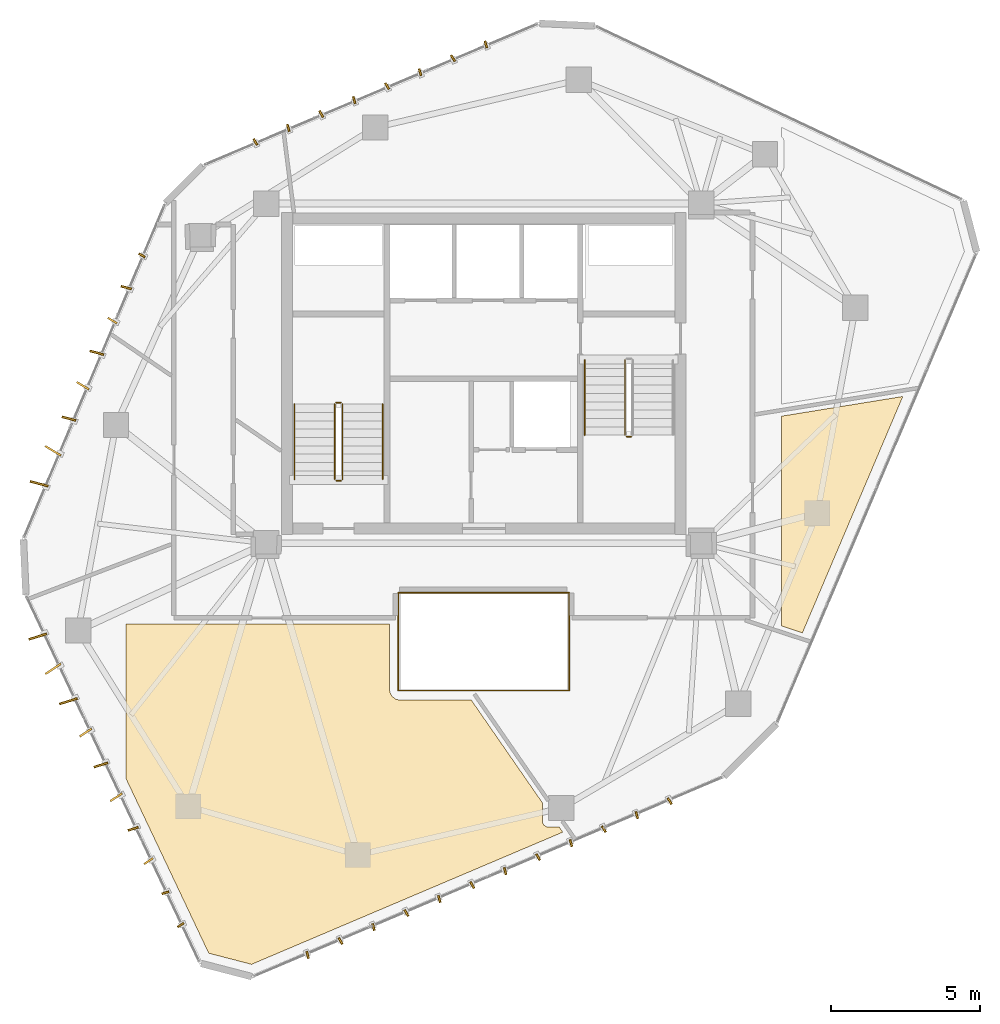
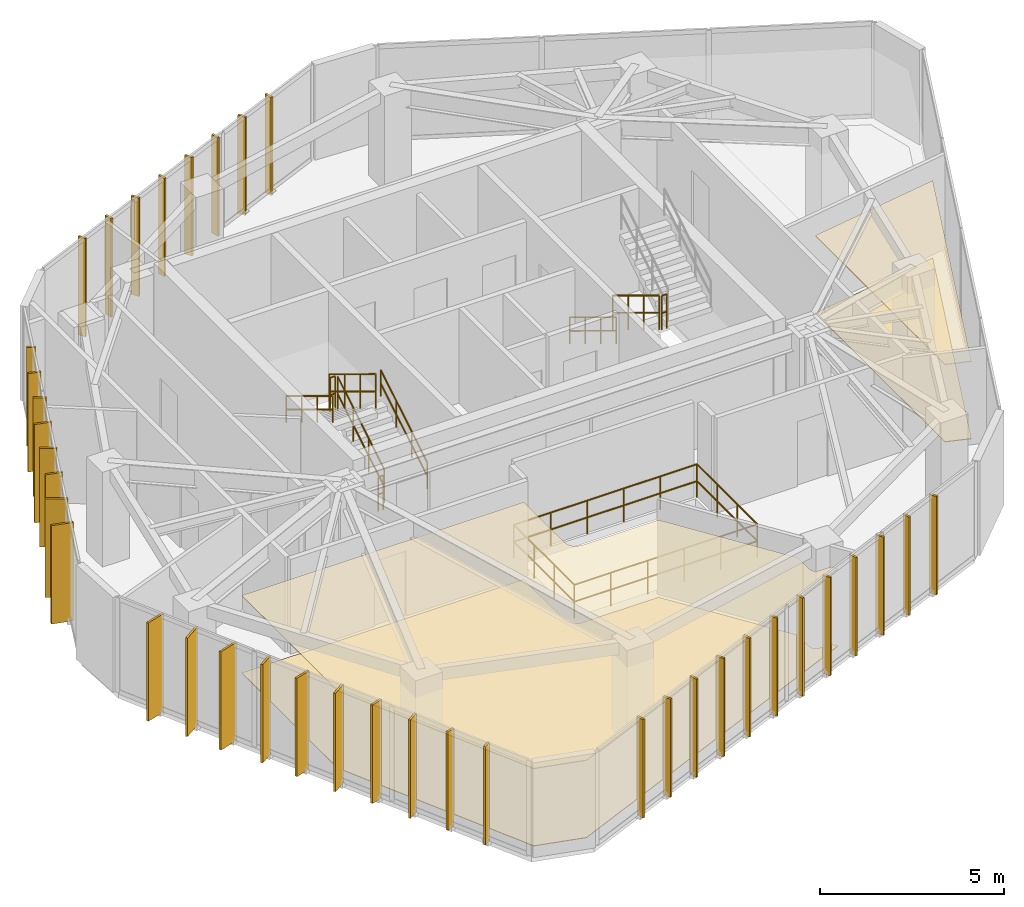
# One storey, part 19 of 20: 38 shading devices, 13 railings, 4 coverings.
"""IFC4 building model written with IfcOpenShell, lengths in metres."""

from ifc_helpers import new_model, si_unit, direction, frame, origin, origin_2d, place, context, subcontext, project, spatial, polyline, rectangle, circle, outline, extrude, source, transform, mapped, material, layer, layer_set, type_object, type_shapes, element, save


model = new_model("IFC4")

# Units and contexts
model_context = context("Model", 3, precision=1e-05, world=origin(), true_north=direction((0.0, 1.0)))
body_context = subcontext(model_context, "Body", "Model", "MODEL_VIEW")
ifc_project = project(units=[si_unit("LENGTHUNIT", "METRE"), si_unit("AREAUNIT", "SQUARE_METRE"), si_unit("VOLUMEUNIT", "CUBIC_METRE"), si_unit("PLANEANGLEUNIT", "RADIAN"), si_unit("MASSUNIT", "GRAM", prefix="KILO")], contexts=[model_context])

# Site, building, storey
site_placement = place(None, origin())
site = spatial("IfcSite", under=ifc_project, at=site_placement, CompositionType="ELEMENT")
building_placement = place(site_placement, origin())
building = spatial("IfcBuilding", under=site, at=building_placement, Name="Talar Marvaseh", CompositionType="ELEMENT")
storey_placement = place(building_placement, frame((0.0, 0.0, 274.800048828125)))
storey = spatial("IfcBuildingStorey", under=building, at=storey_placement, Name="L73", CompositionType="ELEMENT", Elevation=274.800048828125)

# Railings
ifc_material_1 = material(Name="Stainless Steel Grade 316", Category="steel")
railing_type_1 = type_object("IfcRailingType", Name="Brushed Stainless Wall Pitch Handrail 900", PredefinedType="HANDRAIL", material=ifc_material_1)
railing_1_placement = place(storey_placement, frame((22.610107421875, 27.64990234375, 0.169921875)))
element("IfcRailing", 1, at=railing_1_placement, inside=storey, type_object=railing_type_1, Name="L73 ST-1 stair handrail 1", PredefinedType="HANDRAIL", context=body_context, shape_type="SweptSolid", body=[
    extrude(circle(Radius=0.02392578125, at=origin_2d()), frame((0.0, 0.0, 0.8759765625), z_axis=(0.0, 0.85478489116, 0.518982456201), x_axis=(-1.0, 0.0, 0.0)), (0.0, 0.0, 1.0), 2.9482421875),
    extrude(circle(Radius=0.02392578125, at=origin_2d()), frame((0.0, 0.0, 0.42578125), z_axis=(0.0, 0.85478489116, 0.518982456201), x_axis=(-1.0, 0.0, 0.0)), (0.0, 0.0, 1.0), 2.9482421875),
    extrude(circle(Radius=0.02099609375, at=origin_2d()), origin(), (0.0, 0.0, 1.0), 0.851806640625),
    extrude(circle(Radius=0.02099609375, at=origin_2d()), frame((0.0, 0.840087890625, 0.510009765625)), (0.0, 0.0, 1.0), 0.851806640625),
    extrude(circle(Radius=0.02099609375, at=origin_2d()), frame((0.0, 1.679931640625, 1.02001953125)), (0.0, 0.0, 1.0), 0.851806640625),
    extrude(circle(Radius=0.02099609375, at=origin_2d()), frame((0.0, 2.52001953125, 1.530029296875)), (0.0, 0.0, 1.0), 0.851806640625),
])
for number, where, name in (
    (2, (19.64990234375, 30.169921875, 1.869873046875), "L73 ST-1 stair handrail 2"),
    (3, (29.389892578125, 31.64990234375, 0.169921875), "L73 ST-2 stair handrail 1"),
):
    element("IfcRailing", number, at=place(storey_placement, frame(where)), inside=storey, type_object=railing_type_1, Name=name, PredefinedType="HANDRAIL", context=body_context, shape_type="SweptSolid", body=[
        extrude(circle(Radius=0.02392578125, at=origin_2d()), frame((0.0, 0.0, 0.8759765625), z_axis=(0.0, -0.85478489116, 0.518982456201), x_axis=(1.0, 0.0, 0.0)), (0.0, 0.0, 1.0), 2.9482421875),
        extrude(circle(Radius=0.02392578125, at=origin_2d()), frame((0.0, 0.0, 0.42578125), z_axis=(0.0, -0.85478489116, 0.518982456201), x_axis=(1.0, 0.0, 0.0)), (0.0, 0.0, 1.0), 2.9482421875),
        extrude(circle(Radius=0.02099609375, at=origin_2d()), origin(), (0.0, 0.0, 1.0), 0.851806640625),
        extrude(circle(Radius=0.02099609375, at=origin_2d()), frame((0.0, -0.840087890625, 0.510009765625)), (0.0, 0.0, 1.0), 0.851806640625),
        extrude(circle(Radius=0.02099609375, at=origin_2d()), frame((0.0, -1.679931640625, 1.02001953125)), (0.0, 0.0, 1.0), 0.851806640625),
        extrude(circle(Radius=0.02099609375, at=origin_2d()), frame((0.0, -2.52001953125, 1.530029296875)), (0.0, 0.0, 1.0), 0.851806640625),
    ])
ifc_material_2 = material(Name="Tempered Clear Glass", Category="glass")
railing_type_2 = type_object("IfcRailingType", Name="Interior Atrium Edge Balustrade 1120", PredefinedType="BALUSTRADE", material=ifc_material_2)
railing_2_placement = place(storey_placement, frame((23.130615234375, 20.560302734375, 0.0)))
element("IfcRailing", 4, at=railing_2_placement, inside=storey, type_object=railing_type_2, Name="L73 Internal Daylight Atrium Balustrade 1", PredefinedType="BALUSTRADE", context=body_context, shape_type="SweptSolid", body=[
    extrude(circle(Radius=0.02392578125, at=origin_2d()), frame((0.0, 0.0, 1.09619140625), z_axis=(1.0, 0.0, 0.0), x_axis=(0.0, 1.0, 0.0)), (0.0, 0.0, 1.0), 5.73876953125),
    extrude(circle(Radius=0.02392578125, at=origin_2d()), frame((0.0, 0.0, 0.5361328125), z_axis=(1.0, 0.0, 0.0), x_axis=(0.0, 1.0, 0.0)), (0.0, 0.0, 1.0), 5.73876953125),
    extrude(circle(Radius=0.02099609375, at=origin_2d()), origin(), (0.0, 0.0, 1.0), 1.072021484375),
    extrude(circle(Radius=0.02099609375, at=origin_2d()), frame((1.147705078125, 0.0, 0.0)), (0.0, 0.0, 1.0), 1.072021484375),
    extrude(circle(Radius=0.02099609375, at=origin_2d()), frame((2.29541015625, 0.0, 0.0)), (0.0, 0.0, 1.0), 1.072021484375),
    extrude(circle(Radius=0.02099609375, at=origin_2d()), frame((3.443359375, 0.0, 0.0)), (0.0, 0.0, 1.0), 1.072021484375),
    extrude(circle(Radius=0.02099609375, at=origin_2d()), frame((4.591064453125, 0.0, 0.0)), (0.0, 0.0, 1.0), 1.072021484375),
    extrude(circle(Radius=0.02099609375, at=origin_2d()), frame((5.73876953125, 0.0, 0.0)), (0.0, 0.0, 1.0), 1.072021484375),
])
railing_3_placement = place(storey_placement, frame((28.869384765625, 20.560302734375, 0.0)))
element("IfcRailing", 5, at=railing_3_placement, inside=storey, type_object=railing_type_2, Name="L73 Internal Daylight Atrium Balustrade 2", PredefinedType="BALUSTRADE", context=body_context, shape_type="SweptSolid", body=[
    extrude(circle(Radius=0.02392578125, at=origin_2d()), frame((0.0, 0.0, 1.09619140625), z_axis=(0.0, 1.0, 0.0), x_axis=(-1.0, 0.0, 0.0)), (0.0, 0.0, 1.0), 3.279296875),
    extrude(circle(Radius=0.02392578125, at=origin_2d()), frame((0.0, 0.0, 0.5361328125), z_axis=(0.0, 1.0, 0.0), x_axis=(-1.0, 0.0, 0.0)), (0.0, 0.0, 1.0), 3.279296875),
    extrude(circle(Radius=0.02099609375, at=origin_2d()), origin(), (0.0, 0.0, 1.0), 1.072021484375),
    extrude(circle(Radius=0.02099609375, at=origin_2d()), frame((0.0, 1.093017578125, 0.0)), (0.0, 0.0, 1.0), 1.072021484375),
    extrude(circle(Radius=0.02099609375, at=origin_2d()), frame((0.0, 2.186279296875, 0.0)), (0.0, 0.0, 1.0), 1.072021484375),
    extrude(circle(Radius=0.02099609375, at=origin_2d()), frame((0.0, 3.279296875, 0.0)), (0.0, 0.0, 1.0), 1.072021484375),
])
railing_4_placement = place(storey_placement, frame((28.869384765625, 23.839599609375, 0.0)))
element("IfcRailing", 6, at=railing_4_placement, inside=storey, type_object=railing_type_2, Name="L73 Internal Daylight Atrium Balustrade 3", PredefinedType="BALUSTRADE", context=body_context, shape_type="SweptSolid", body=[
    extrude(circle(Radius=0.02392578125, at=origin_2d()), frame((0.0, 0.0, 1.09619140625), z_axis=(-1.0, 0.0, 0.0), x_axis=(0.0, -1.0, 0.0)), (0.0, 0.0, 1.0), 5.73876953125),
    extrude(circle(Radius=0.02392578125, at=origin_2d()), frame((0.0, 0.0, 0.5361328125), z_axis=(-1.0, 0.0, 0.0), x_axis=(0.0, -1.0, 0.0)), (0.0, 0.0, 1.0), 5.73876953125),
    extrude(circle(Radius=0.02099609375, at=origin_2d()), origin(), (0.0, 0.0, 1.0), 1.072021484375),
    extrude(circle(Radius=0.02099609375, at=origin_2d()), frame((-1.147705078125, 0.0, 0.0)), (0.0, 0.0, 1.0), 1.072021484375),
    extrude(circle(Radius=0.02099609375, at=origin_2d()), frame((-2.29541015625, 0.0, 0.0)), (0.0, 0.0, 1.0), 1.072021484375),
    extrude(circle(Radius=0.02099609375, at=origin_2d()), frame((-3.443359375, 0.0, 0.0)), (0.0, 0.0, 1.0), 1.072021484375),
    extrude(circle(Radius=0.02099609375, at=origin_2d()), frame((-4.591064453125, 0.0, 0.0)), (0.0, 0.0, 1.0), 1.072021484375),
    extrude(circle(Radius=0.02099609375, at=origin_2d()), frame((-5.73876953125, 0.0, 0.0)), (0.0, 0.0, 1.0), 1.072021484375),
])
railing_5_placement = place(storey_placement, frame((23.130615234375, 23.839599609375, 0.0)))
element("IfcRailing", 7, at=railing_5_placement, inside=storey, type_object=railing_type_2, Name="L73 Internal Daylight Atrium Balustrade 4", PredefinedType="BALUSTRADE", context=body_context, shape_type="SweptSolid", body=[
    extrude(circle(Radius=0.02392578125, at=origin_2d()), frame((0.0, 0.0, 1.09619140625), z_axis=(0.0, -1.0, 0.0), x_axis=(1.0, 0.0, 0.0)), (0.0, 0.0, 1.0), 3.279296875),
    extrude(circle(Radius=0.02392578125, at=origin_2d()), frame((0.0, 0.0, 0.5361328125), z_axis=(0.0, -1.0, 0.0), x_axis=(1.0, 0.0, 0.0)), (0.0, 0.0, 1.0), 3.279296875),
    extrude(circle(Radius=0.02099609375, at=origin_2d()), origin(), (0.0, 0.0, 1.0), 1.072021484375),
    extrude(circle(Radius=0.02099609375, at=origin_2d()), frame((0.0, -1.093017578125, 0.0)), (0.0, 0.0, 1.0), 1.072021484375),
    extrude(circle(Radius=0.02099609375, at=origin_2d()), frame((0.0, -2.186279296875, 0.0)), (0.0, 0.0, 1.0), 1.072021484375),
    extrude(circle(Radius=0.02099609375, at=origin_2d()), frame((0.0, -3.279296875, 0.0)), (0.0, 0.0, 1.0), 1.072021484375),
])
railing_type_3 = type_object("IfcRailingType", Name="Painted Steel Core Stair Well Guardrail 1150", PredefinedType="GUARDRAIL", material=ifc_material_1)
railing_6_placement = place(storey_placement, frame((21.260009765625, 27.64990234375, 0.169921875)))
element("IfcRailing", 8, at=railing_6_placement, inside=storey, type_object=railing_type_3, Name="L73 ST-1 stair guard 1", PredefinedType="GUARDRAIL", context=body_context, shape_type="SweptSolid", body=[
    extrude(circle(Radius=0.02392578125, at=origin_2d()), frame((0.0, 0.0, 1.1259765625), z_axis=(0.0, 0.85478489116, 0.518982456201), x_axis=(-1.0, 0.0, 0.0)), (0.0, 0.0, 1.0), 2.9482421875),
    extrude(circle(Radius=0.02392578125, at=origin_2d()), frame((0.0, 0.0, 0.55078125), z_axis=(0.0, 0.85478489116, 0.518982456201), x_axis=(-1.0, 0.0, 0.0)), (0.0, 0.0, 1.0), 2.9482421875),
    extrude(circle(Radius=0.02099609375, at=origin_2d()), origin(), (0.0, 0.0, 1.0), 1.101806640625),
    extrude(circle(Radius=0.02099609375, at=origin_2d()), frame((0.0, 0.840087890625, 0.510009765625)), (0.0, 0.0, 1.0), 1.101806640625),
    extrude(circle(Radius=0.02099609375, at=origin_2d()), frame((0.0, 1.679931640625, 1.02001953125)), (0.0, 0.0, 1.0), 1.101806640625),
    extrude(circle(Radius=0.02099609375, at=origin_2d()), frame((0.0, 2.52001953125, 1.530029296875)), (0.0, 0.0, 1.0), 1.101806640625),
])
railing_7_placement = place(storey_placement, frame((21.2099609375, 30.219970703125, 1.699951171875)))
element("IfcRailing", 9, at=railing_7_placement, inside=storey, type_object=railing_type_3, Name="L73 ST-1 stair guard 2", PredefinedType="GUARDRAIL", context=body_context, shape_type="SweptSolid", body=[
    extrude(circle(Radius=0.02392578125, at=origin_2d()), frame((0.0, 0.0, 1.1259765625), z_axis=(-1.0, 0.0, 0.0), x_axis=(0.0, -1.0, 0.0)), (0.0, 0.0, 1.0), 0.159912109375),
    extrude(circle(Radius=0.02392578125, at=origin_2d()), frame((0.0, 0.0, 0.55078125), z_axis=(-1.0, 0.0, 0.0), x_axis=(0.0, -1.0, 0.0)), (0.0, 0.0, 1.0), 0.159912109375),
    extrude(circle(Radius=0.02099609375, at=origin_2d()), origin(), (0.0, 0.0, 1.0), 1.101806640625),
    extrude(circle(Radius=0.02099609375, at=origin_2d()), frame((-0.159912109375, 0.0, 0.0)), (0.0, 0.0, 1.0), 1.101806640625),
])
railing_8_placement = place(storey_placement, frame((21.0, 30.169921875, 1.869873046875)))
element("IfcRailing", 10, at=railing_8_placement, inside=storey, type_object=railing_type_3, Name="L73 ST-1 stair guard 3", PredefinedType="GUARDRAIL", context=body_context, shape_type="SweptSolid", body=[
    extrude(circle(Radius=0.02392578125, at=origin_2d()), frame((0.0, 0.0, 1.1259765625), z_axis=(0.0, -0.85478489116, 0.518982456201), x_axis=(1.0, 0.0, 0.0)), (0.0, 0.0, 1.0), 2.9482421875),
    extrude(circle(Radius=0.02392578125, at=origin_2d()), frame((0.0, 0.0, 0.55078125), z_axis=(0.0, -0.85478489116, 0.518982456201), x_axis=(1.0, 0.0, 0.0)), (0.0, 0.0, 1.0), 2.9482421875),
    extrude(circle(Radius=0.02099609375, at=origin_2d()), origin(), (0.0, 0.0, 1.0), 1.101806640625),
    extrude(circle(Radius=0.02099609375, at=origin_2d()), frame((0.0, -0.840087890625, 0.510009765625)), (0.0, 0.0, 1.0), 1.101806640625),
    extrude(circle(Radius=0.02099609375, at=origin_2d()), frame((0.0, -1.679931640625, 1.02001953125)), (0.0, 0.0, 1.0), 1.101806640625),
    extrude(circle(Radius=0.02099609375, at=origin_2d()), frame((0.0, -2.52001953125, 1.530029296875)), (0.0, 0.0, 1.0), 1.101806640625),
])
railing_9_placement = place(storey_placement, frame((21.2099609375, 27.60009765625, 0.0)))
element("IfcRailing", 11, at=railing_9_placement, inside=storey, type_object=railing_type_3, Name="L73 ST-1 stair guard 4", PredefinedType="GUARDRAIL", context=body_context, shape_type="SweptSolid", body=[
    extrude(circle(Radius=0.02392578125, at=origin_2d()), frame((0.0, 0.0, 1.1259765625), z_axis=(-1.0, 0.0, 0.0), x_axis=(0.0, -1.0, 0.0)), (0.0, 0.0, 1.0), 0.159912109375),
    extrude(circle(Radius=0.02392578125, at=origin_2d()), frame((0.0, 0.0, 0.55078125), z_axis=(-1.0, 0.0, 0.0), x_axis=(0.0, -1.0, 0.0)), (0.0, 0.0, 1.0), 0.159912109375),
    extrude(circle(Radius=0.02099609375, at=origin_2d()), origin(), (0.0, 0.0, 1.0), 1.101806640625),
    extrude(circle(Radius=0.02099609375, at=origin_2d()), frame((-0.159912109375, 0.0, 0.0)), (0.0, 0.0, 1.0), 1.101806640625),
])
railing_10_placement = place(storey_placement, frame((30.739990234375, 31.64990234375, 0.169921875)))
element("IfcRailing", 12, at=railing_10_placement, inside=storey, type_object=railing_type_3, Name="L73 ST-2 stair guard 1", PredefinedType="GUARDRAIL", context=body_context, shape_type="SweptSolid", body=[
    extrude(circle(Radius=0.02392578125, at=origin_2d()), frame((0.0, 0.0, 1.1259765625), z_axis=(0.0, -0.85478489116, 0.518982456201), x_axis=(1.0, 0.0, 0.0)), (0.0, 0.0, 1.0), 2.9482421875),
    extrude(circle(Radius=0.02392578125, at=origin_2d()), frame((0.0, 0.0, 0.55078125), z_axis=(0.0, -0.85478489116, 0.518982456201), x_axis=(1.0, 0.0, 0.0)), (0.0, 0.0, 1.0), 2.9482421875),
    extrude(circle(Radius=0.02099609375, at=origin_2d()), origin(), (0.0, 0.0, 1.0), 1.101806640625),
    extrude(circle(Radius=0.02099609375, at=origin_2d()), frame((0.0, -0.840087890625, 0.510009765625)), (0.0, 0.0, 1.0), 1.101806640625),
    extrude(circle(Radius=0.02099609375, at=origin_2d()), frame((0.0, -1.679931640625, 1.02001953125)), (0.0, 0.0, 1.0), 1.101806640625),
    extrude(circle(Radius=0.02099609375, at=origin_2d()), frame((0.0, -2.52001953125, 1.530029296875)), (0.0, 0.0, 1.0), 1.101806640625),
])
railing_11_placement = place(storey_placement, frame((30.7900390625, 29.080078125, 1.699951171875)))
element("IfcRailing", 13, at=railing_11_placement, inside=storey, type_object=railing_type_3, Name="L73 ST-2 stair guard 2", PredefinedType="GUARDRAIL", context=body_context, shape_type="SweptSolid", body=[
    extrude(circle(Radius=0.02392578125, at=origin_2d()), frame((0.0, 0.0, 1.1259765625), z_axis=(1.0, 0.0, 0.0), x_axis=(0.0, 1.0, 0.0)), (0.0, 0.0, 1.0), 0.159912109375),
    extrude(circle(Radius=0.02392578125, at=origin_2d()), frame((0.0, 0.0, 0.55078125), z_axis=(1.0, 0.0, 0.0), x_axis=(0.0, 1.0, 0.0)), (0.0, 0.0, 1.0), 0.159912109375),
    extrude(circle(Radius=0.02099609375, at=origin_2d()), origin(), (0.0, 0.0, 1.0), 1.101806640625),
    extrude(circle(Radius=0.02099609375, at=origin_2d()), frame((0.159912109375, 0.0, 0.0)), (0.0, 0.0, 1.0), 1.101806640625),
])

# Coverings
ifc_material_3 = material(Name="Mineral Fibre Acoustic Ceiling")
ifc_layer_1 = layer(ifc_material_3, 0.02490234375)
ifc_layer_set_1 = layer_set([ifc_layer_1], Name="Mineral Fibre Acoustic Ceiling")
covering_type_1 = type_object("IfcCoveringType", Name="Perforated Mineral Fibre Acoustic Suspended Ceiling", PredefinedType="CEILING", material=ifc_layer_set_1)
covering_1_placement = place(storey_placement, frame((0.0, 0.0, 2.56005859375)))
element("IfcCovering", 14, at=covering_1_placement, inside=storey, type_object=covering_type_1, Name="L73 Museum Publication Bookshop Acoustic Ceiling", PredefinedType="CEILING", context=body_context, shape_type="SweptSolid", body=[
    extrude(outline(polyline([(22.840087890625, 20.60009765625), (22.841064453125, 20.580322265625), (22.843994140625, 20.560791015625), (22.856201171875, 20.499755859375), (22.86181640625, 20.4775390625), (22.8701171875, 20.456298828125), (22.880615234375, 20.436279296875), (22.90478515625, 20.39599609375), (22.91552734375, 20.37939453125), (22.927978515625, 20.3642578125), (22.94189453125, 20.350341796875), (22.957275390625, 20.337890625), (23.019775390625, 20.29150390625), (23.0380859375, 20.279296875), (23.057861328125, 20.269287109375), (23.078369140625, 20.261474609375), (23.099609375, 20.256103515625), (23.160888671875, 20.243896484375), (23.180419921875, 20.240966796875), (23.199951171875, 20.239990234375), (25.58349609375, 20.239990234375), (27.965087890625, 16.80029296875), (27.967529296875, 16.18310546875), (27.968505859375, 16.16357421875), (27.971435546875, 16.14404296875), (27.976318359375, 16.125244140625), (27.98291015625, 16.106689453125), (27.9912109375, 16.089111328125), (28.001220703125, 16.072509765625), (28.012939453125, 16.056640625), (28.026123046875, 16.042236328125), (28.04052734375, 16.029052734375), (28.056396484375, 16.017578125), (28.072998046875, 16.00732421875), (28.08544921875, 16.000732421875), (28.103271484375, 15.9921875), (28.121826171875, 15.985595703125), (28.140869140625, 15.98095703125), (28.160400390625, 15.97802734375), (28.179931640625, 15.97705078125), (28.53515625, 15.97705078125), (28.65283203125, 15.806884765625), (18.208251953125, 11.37158203125), (16.7724609375, 11.744873046875), (14.0, 17.59765625), (14.0, 22.800048828125), (15.60009765625, 22.800048828125), (22.840087890625, 22.800048828125), (22.840087890625, 20.60009765625)])), origin(), (0.0, 0.0, 1.0), 0.02490234375),
])
covering_2_placement = place(storey_placement, frame((0.0, 0.0, 2.56005859375)))
element("IfcCovering", 15, at=covering_2_placement, inside=storey, type_object=covering_type_1, Name="L73 Artisan Craft Showroom Acoustic Ceiling", PredefinedType="CEILING", context=body_context, shape_type="SweptSolid", body=[
    extrude(outline(polyline([(36.69482421875, 22.496826171875), (36.0, 22.724853515625), (36.0, 29.767578125), (40.06298828125, 30.427734375), (36.69482421875, 22.496826171875)])), origin(), (0.0, 0.0, 1.0), 0.02490234375),
])
ifc_material_4 = material(Name="Porcelain Stoneware Tile", Category="masonry")
ifc_layer_2 = layer(ifc_material_4, 0.02001953125)
ifc_layer_set_2 = layer_set([ifc_layer_2], Name="Porcelain Stoneware Tile")
covering_type_2 = type_object("IfcCoveringType", Name="Polished Porcelain Stoneware Gallery Flooring", PredefinedType="FLOORING", material=ifc_layer_set_2)
covering_3_placement = place(storey_placement, origin())
element("IfcCovering", 16, at=covering_3_placement, inside=storey, type_object=covering_type_2, Name="L73 Museum Publication Bookshop Flooring", PredefinedType="FLOORING", context=body_context, shape_type="SweptSolid", body=[
    extrude(outline(polyline([(22.840087890625, 20.60009765625), (22.841064453125, 20.580322265625), (22.843994140625, 20.560791015625), (22.856201171875, 20.499755859375), (22.86181640625, 20.4775390625), (22.8701171875, 20.456298828125), (22.880615234375, 20.436279296875), (22.90478515625, 20.39599609375), (22.91552734375, 20.37939453125), (22.927978515625, 20.3642578125), (22.94189453125, 20.350341796875), (22.957275390625, 20.337890625), (23.019775390625, 20.29150390625), (23.0380859375, 20.279296875), (23.057861328125, 20.269287109375), (23.078369140625, 20.261474609375), (23.099609375, 20.256103515625), (23.160888671875, 20.243896484375), (23.180419921875, 20.240966796875), (23.199951171875, 20.239990234375), (25.58349609375, 20.239990234375), (27.965087890625, 16.80029296875), (27.967529296875, 16.18310546875), (27.968505859375, 16.16357421875), (27.971435546875, 16.14404296875), (27.976318359375, 16.125244140625), (27.98291015625, 16.106689453125), (27.9912109375, 16.089111328125), (28.001220703125, 16.072509765625), (28.012939453125, 16.056640625), (28.026123046875, 16.042236328125), (28.04052734375, 16.029052734375), (28.056396484375, 16.017578125), (28.072998046875, 16.00732421875), (28.08544921875, 16.000732421875), (28.103271484375, 15.9921875), (28.121826171875, 15.985595703125), (28.140869140625, 15.98095703125), (28.160400390625, 15.97802734375), (28.179931640625, 15.97705078125), (28.53515625, 15.97705078125), (28.65283203125, 15.806884765625), (18.208251953125, 11.37158203125), (16.7724609375, 11.744873046875), (14.0, 17.59765625), (14.0, 22.800048828125), (15.60009765625, 22.800048828125), (22.840087890625, 22.800048828125), (22.840087890625, 20.60009765625)])), origin(), (0.0, 0.0, 1.0), 0.02001953125),
])
covering_4_placement = place(storey_placement, origin())
element("IfcCovering", 17, at=covering_4_placement, inside=storey, type_object=covering_type_2, Name="L73 Artisan Craft Showroom Flooring", PredefinedType="FLOORING", context=body_context, shape_type="SweptSolid", body=[
    extrude(outline(polyline([(36.69482421875, 22.496826171875), (36.0, 22.724853515625), (36.0, 29.767578125), (40.06298828125, 30.427734375), (36.69482421875, 22.496826171875)])), origin(), (0.0, 0.0, 1.0), 0.02001953125),
])

# Shading devices
ifc_material_5 = material(Name="Anodised Champagne Bronze Aluminium", Category="aluminium")
ifc_layer_3 = layer(ifc_material_5, 0.06494140625)
ifc_layer_set_3 = layer_set([ifc_layer_3], Name="Anodised Champagne Bronze Aluminium")
shading_device_type_1 = type_object("IfcShadingDeviceType", Name="Sawtooth Champagne Bronze Vertical Fin 240", PredefinedType="USERDEFINED", material=ifc_layer_set_3)
shared_shape_1 = source(origin(), body_context, "Body", "SweptSolid", [
    extrude(rectangle(XDim=0.239990234375, YDim=0.06494140625, at=origin_2d()), origin(), (0.0, 0.0, 1.0), 3.260009765625),
])
type_shapes(shading_device_type_1, [shared_shape_1])
for number, where, z_axis, x_axis, name in (
    (18, (15.83154296875, 12.691650390625, -0.1201171875), (0.0, 0.0, 1.0), (-0.835327930385, -0.549751988372, 0.0), "L73 Sawtooth Vertical Solar Fin"),
    (19, (15.31787109375, 13.776123046875, -0.1201171875), (0.0, 0.0, 1.0), (-0.954500927457, -0.298207946716, 0.0), "L73 Sawtooth Vertical Solar Fin"),
    (20, (14.529052734375, 35.162109375, -0.1201171875), (0.0, 0.0, 1.0), (-0.857795898543, 0.513990463377, 0.0), "L73 Sawtooth Vertical Solar Fin"),
    (21, (18.337890625, 38.970947265625, -0.1201171875), (0.0, 0.0, 1.0), (-0.513990463377, 0.857795898543, 0.0), "L73 Sawtooth Vertical Solar Fin"),
    (22, (19.443115234375, 39.4384765625, -0.1201171875), (0.0, 0.0, 1.0), (-0.257638751216, 0.966241312443, 0.0), "L73 Sawtooth Vertical Solar Fin"),
    (23, (20.548095703125, 39.906005859375, -0.1201171875), (0.0, 0.0, 1.0), (-0.513990463377, 0.857795898543, 0.0), "L73 Sawtooth Vertical Solar Fin"),
    (24, (21.6533203125, 40.373779296875, -0.1201171875), (0.0, 0.0, 1.0), (-0.257638751216, 0.966241312443, 0.0), "L73 Sawtooth Vertical Solar Fin"),
    (25, (22.758544921875, 40.84130859375, -0.1201171875), (0.0, 0.0, 1.0), (-0.513990463377, 0.857795898543, 0.0), "L73 Sawtooth Vertical Solar Fin"),
    (26, (23.86376953125, 41.308837890625, -0.1201171875), (0.0, 0.0, 1.0), (-0.257638751216, 0.966241312443, 0.0), "L73 Sawtooth Vertical Solar Fin"),
    (27, (24.96875, 41.7763671875, -0.1201171875), (0.0, 0.0, 1.0), (-0.513990463377, 0.857795898543, 0.0), "L73 Sawtooth Vertical Solar Fin"),
    (28, (26.073974609375, 42.243896484375, -0.1201171875), (0.0, 0.0, 1.0), (-0.257638751216, 0.966241312443, 0.0), "L73 Sawtooth Vertical Solar Fin"),
    (29, (32.2412109375, 16.847412109375, -0.1201171875), (0.0, 0.0, 1.0), (0.515187670981, -0.857077396545, 0.0), "L73 Sawtooth Vertical Solar Fin"),
    (30, (31.136474609375, 16.378173828125, -0.1201171875), (0.0, 0.0, 1.0), (0.25898762702, -0.965880639132, 0.0), "L73 Sawtooth Vertical Solar Fin"),
    (31, (30.031982421875, 15.9091796875, -0.1201171875), (0.0, 0.0, 1.0), (0.515187670981, -0.857077396545, 0.0), "L73 Sawtooth Vertical Solar Fin"),
    (32, (28.927490234375, 15.440185546875, -0.1201171875), (0.0, 0.0, 1.0), (0.25898762702, -0.965880639132, 0.0), "L73 Sawtooth Vertical Solar Fin"),
    (33, (27.822998046875, 14.97119140625, -0.1201171875), (0.0, 0.0, 1.0), (0.515187670981, -0.857077396545, 0.0), "L73 Sawtooth Vertical Solar Fin"),
    (34, (26.718505859375, 14.501953125, -0.1201171875), (0.0, 0.0, 1.0), (0.25898762702, -0.965880639132, 0.0), "L73 Sawtooth Vertical Solar Fin"),
    (35, (25.614013671875, 14.032958984375, -0.1201171875), (0.0, 0.0, 1.0), (0.515187670981, -0.857077396545, 0.0), "L73 Sawtooth Vertical Solar Fin"),
    (36, (24.50927734375, 13.56396484375, -0.1201171875), (0.0, 0.0, 1.0), (0.25898762702, -0.965880639132, 0.0), "L73 Sawtooth Vertical Solar Fin"),
    (37, (23.40478515625, 13.094970703125, -0.1201171875), (0.0, 0.0, 1.0), (0.515187670981, -0.857077396545, 0.0), "L73 Sawtooth Vertical Solar Fin"),
    (38, (22.30029296875, 12.625732421875, -0.1201171875), (0.0, 0.0, 1.0), (0.25898762702, -0.965880639132, 0.0), "L73 Sawtooth Vertical Solar Fin"),
    (39, (21.19580078125, 12.15673828125, -0.1201171875), (0.0, 0.0, 1.0), (0.515187670981, -0.857077396545, 0.0), "L73 Sawtooth Vertical Solar Fin"),
    (40, (20.09130859375, 11.687744140625, -0.1201171875), (0.0, 0.0, 1.0), (0.25898762702, -0.965880639132, 0.0), "L73 Sawtooth Vertical Solar Fin"),
):
    element("IfcShadingDevice", number, at=place(storey_placement, frame(where, z_axis=z_axis, x_axis=x_axis)), inside=storey, type_object=shading_device_type_1, Name=name, ObjectType="FIN", PredefinedType="USERDEFINED", context=body_context, shape_type="MappedRepresentation", body=[
        mapped(shared_shape_1, transform((0.0, 0.0, 0.0), x_axis=(1.0, 0.0, 0.0), y_axis=(0.0, 1.0, 0.0), z_axis=(0.0, 0.0, 1.0), scale=1.0)),
    ])
ifc_layer_4 = layer(ifc_material_5, 0.06494140625)
ifc_layer_set_4 = layer_set([ifc_layer_4], Name="Anodised Champagne Bronze Aluminium")
shading_device_type_2 = type_object("IfcShadingDeviceType", Name="Sawtooth Champagne Bronze Vertical Fin 360", PredefinedType="USERDEFINED", material=ifc_layer_set_4)
shared_shape_2 = source(origin(), body_context, "Body", "SweptSolid", [
    extrude(rectangle(XDim=0.360107421875, YDim=0.06494140625, at=origin_2d()), origin(), (0.0, 0.0, 1.0), 3.260009765625),
])
type_shapes(shading_device_type_2, [shared_shape_2])
for number, where, z_axis, x_axis, name in (
    (41, (14.75, 14.8349609375, -0.1201171875), (0.0, 0.0, 1.0), (-0.835327930385, -0.549751988372, 0.0), "L73 Sawtooth Vertical Solar Fin"),
    (42, (14.236083984375, 15.91943359375, -0.1201171875), (0.0, 0.0, 1.0), (-0.954500927457, -0.298207946716, 0.0), "L73 Sawtooth Vertical Solar Fin"),
    (43, (13.53857421875, 32.97509765625, -0.1201171875), (0.0, 0.0, 1.0), (-0.857795898543, 0.513990463377, 0.0), "L73 Sawtooth Vertical Solar Fin"),
    (44, (14.006103515625, 34.080322265625, -0.1201171875), (0.0, 0.0, 1.0), (-0.966241312443, 0.257638751216, 0.0), "L73 Sawtooth Vertical Solar Fin"),
):
    element("IfcShadingDevice", number, at=place(storey_placement, frame(where, z_axis=z_axis, x_axis=x_axis)), inside=storey, type_object=shading_device_type_2, Name=name, ObjectType="FIN", PredefinedType="USERDEFINED", context=body_context, shape_type="MappedRepresentation", body=[
        mapped(shared_shape_2, transform((0.0, 0.0, 0.0), x_axis=(1.0, 0.0, 0.0), y_axis=(0.0, 1.0, 0.0), z_axis=(0.0, 0.0, 1.0), scale=1.0)),
    ])
ifc_layer_5 = layer(ifc_material_5, 0.06494140625)
ifc_layer_set_5 = layer_set([ifc_layer_5], Name="Anodised Champagne Bronze Aluminium")
shading_device_type_3 = type_object("IfcShadingDeviceType", Name="Sawtooth Champagne Bronze Vertical Fin 480", PredefinedType="USERDEFINED", material=ifc_layer_set_5)
shared_shape_3 = source(origin(), body_context, "Body", "SweptSolid", [
    extrude(rectangle(XDim=0.47998046875, YDim=0.06494140625, at=origin_2d()), origin(), (0.0, 0.0, 1.0), 3.260009765625),
])
type_shapes(shading_device_type_3, [shared_shape_3])
for number, where, z_axis, x_axis, name in (
    (45, (13.668212890625, 16.978271484375, -0.1201171875), (0.0, 0.0, 1.0), (-0.835327930385, -0.549751988372, 0.0), "L73 Sawtooth Vertical Solar Fin"),
    (46, (13.154541015625, 18.062744140625, -0.1201171875), (0.0, 0.0, 1.0), (-0.954500927457, -0.298207946716, 0.0), "L73 Sawtooth Vertical Solar Fin"),
    (47, (12.640869140625, 19.147216796875, -0.1201171875), (0.0, 0.0, 1.0), (-0.835327930385, -0.549751988372, 0.0), "L73 Sawtooth Vertical Solar Fin"),
    (48, (12.080810546875, 29.68310546875, -0.1201171875), (0.0, 0.0, 1.0), (-0.966241312443, 0.257638751216, 0.0), "L73 Sawtooth Vertical Solar Fin"),
    (49, (12.548095703125, 30.7880859375, -0.1201171875), (0.0, 0.0, 1.0), (-0.857795898543, 0.513990463377, 0.0), "L73 Sawtooth Vertical Solar Fin"),
    (50, (13.015869140625, 31.893310546875, -0.1201171875), (0.0, 0.0, 1.0), (-0.966241312443, 0.257638751216, 0.0), "L73 Sawtooth Vertical Solar Fin"),
):
    element("IfcShadingDevice", number, at=place(storey_placement, frame(where, z_axis=z_axis, x_axis=x_axis)), inside=storey, type_object=shading_device_type_3, Name=name, ObjectType="FIN", PredefinedType="USERDEFINED", context=body_context, shape_type="MappedRepresentation", body=[
        mapped(shared_shape_3, transform((0.0, 0.0, 0.0), x_axis=(1.0, 0.0, 0.0), y_axis=(0.0, 1.0, 0.0), z_axis=(0.0, 0.0, 1.0), scale=1.0)),
    ])
ifc_layer_6 = layer(ifc_material_5, 0.06494140625)
ifc_layer_set_6 = layer_set([ifc_layer_6], Name="Anodised Champagne Bronze Aluminium")
shading_device_type_4 = type_object("IfcShadingDeviceType", Name="Sawtooth Champagne Bronze Vertical Fin 620", PredefinedType="USERDEFINED", material=ifc_layer_set_6)
shared_shape_4 = source(origin(), body_context, "Body", "SweptSolid", [
    extrude(rectangle(XDim=0.6201171875, YDim=0.06494140625, at=origin_2d()), origin(), (0.0, 0.0, 1.0), 3.260009765625),
])
type_shapes(shading_device_type_4, [shared_shape_4])
for number, where, z_axis, x_axis, name in (
    (51, (12.06396484375, 20.20166015625, -0.1201171875), (0.0, 0.0, 1.0), (-0.954500927457, -0.298207946716, 0.0), "L73 Sawtooth Vertical Solar Fin"),
    (52, (11.55029296875, 21.2861328125, -0.1201171875), (0.0, 0.0, 1.0), (-0.835327930385, -0.549751988372, 0.0), "L73 Sawtooth Vertical Solar Fin"),
    (53, (11.03662109375, 22.37060546875, -0.1201171875), (0.0, 0.0, 1.0), (-0.954500927457, -0.298207946716, 0.0), "L73 Sawtooth Vertical Solar Fin"),
    (54, (11.0810546875, 27.5, -0.1201171875), (0.0, 0.0, 1.0), (-0.966241312443, 0.257638751216, 0.0), "L73 Sawtooth Vertical Solar Fin"),
    (55, (11.548583984375, 28.605224609375, -0.1201171875), (0.0, 0.0, 1.0), (-0.857795898543, 0.513990463377, 0.0), "L73 Sawtooth Vertical Solar Fin"),
):
    element("IfcShadingDevice", number, at=place(storey_placement, frame(where, z_axis=z_axis, x_axis=x_axis)), inside=storey, type_object=shading_device_type_4, Name=name, ObjectType="FIN", PredefinedType="USERDEFINED", context=body_context, shape_type="MappedRepresentation", body=[
        mapped(shared_shape_4, transform((0.0, 0.0, 0.0), x_axis=(1.0, 0.0, 0.0), y_axis=(0.0, 1.0, 0.0), z_axis=(0.0, 0.0, 1.0), scale=1.0)),
    ])

save(model, "model.ifc")
